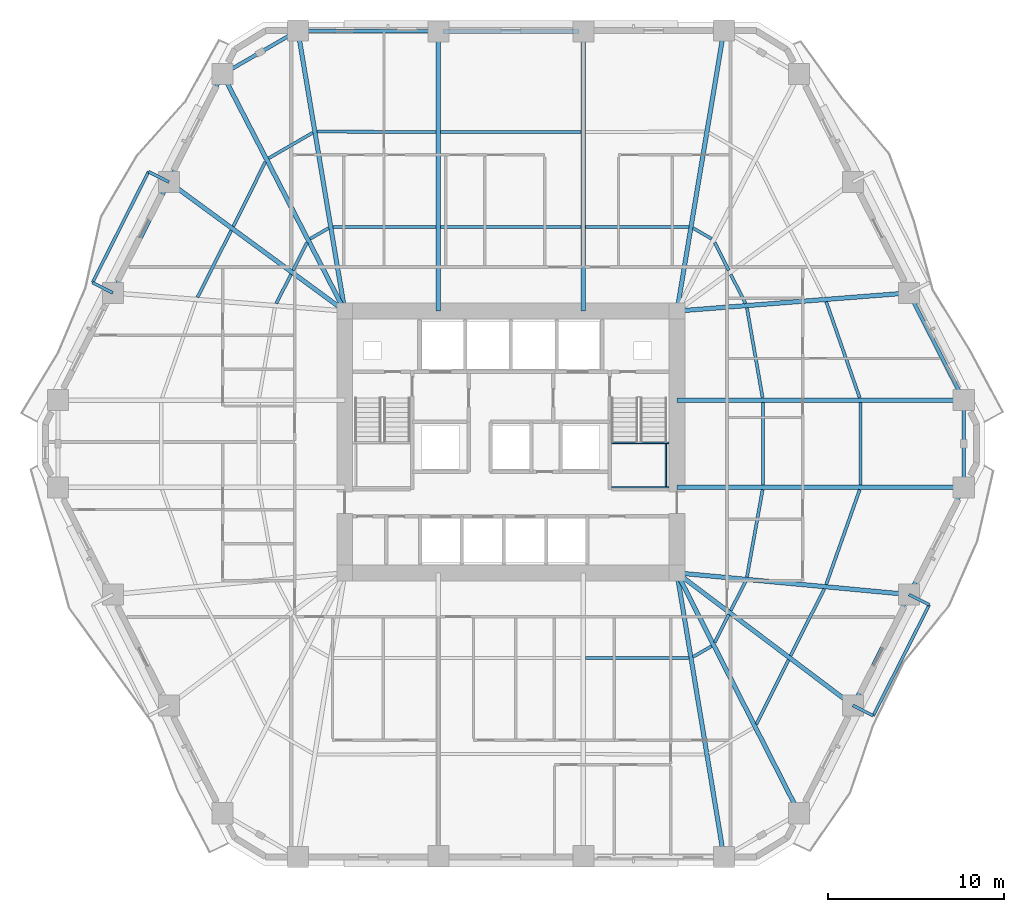
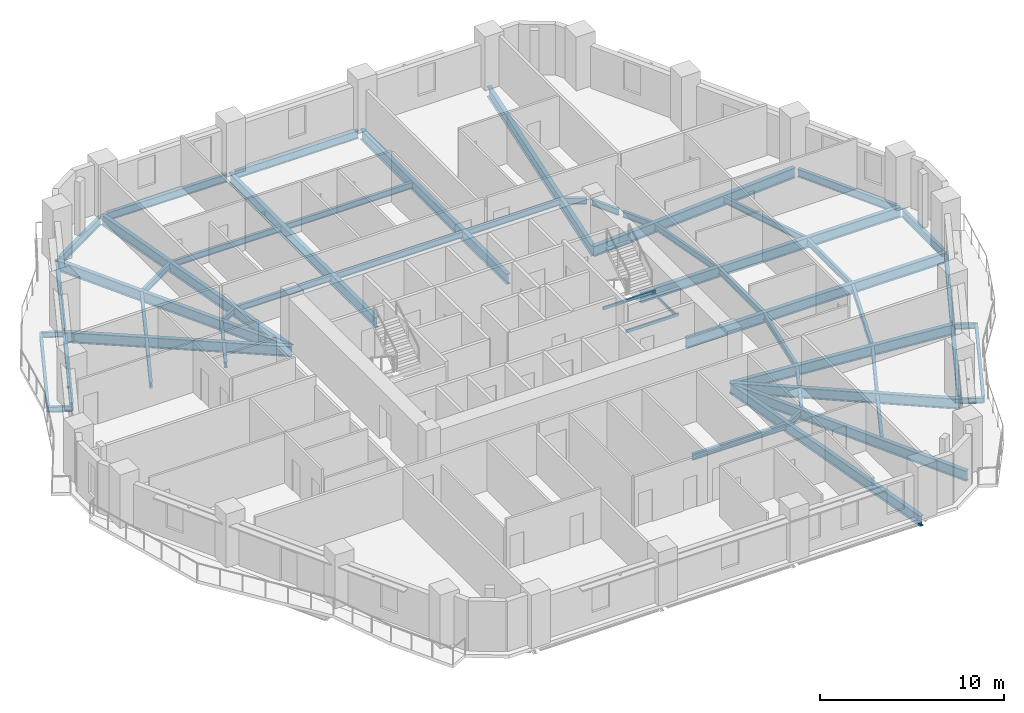
# One storey, part 2 of 14: 57 beams.
"""IFC4 building model written with IfcOpenShell, lengths in metres."""

import ifcopenshell
import ifcopenshell.guid

model = None  # the IFC model being written
_history = None  # IfcOwnerHistory: only IFC2X3 demands one
_inside = {}  # id of a spatial element -> (the spatial element, [elements in it])
_under = {}  # id of a project, library or spatial element -> (it, [spatial elements below it])
_declared = {}  # id of a project -> (the project, [libraries it declares])
_typed = {}  # id of a type object -> (the type object, [elements of that type])
_made_of = {}  # id of a material, layer set ... -> (it, [elements and type objects made of it])


def new_model(schema):
    """Start an empty IFC model of exactly this schema.

    Asked for "IFC4X3", IfcOpenShell would pick the latest addendum, in which some entities
    have other attributes; the version numbers below select the first issue.
    IFC2X3 requires an IfcOwnerHistory on every rooted entity: one is made here for all.
    """
    global model, _history
    if schema == "IFC4X3":
        model = ifcopenshell.file(schema_version=(4, 3, 0, 0))
    else:
        model = ifcopenshell.file(schema=schema)
    _inside.clear()
    _under.clear()
    _declared.clear()
    _typed.clear()
    _made_of.clear()
    _history = None
    if model.schema == "IFC2X3":
        org = make("IfcOrganization", Name="unknown")
        user = make(
            "IfcPersonAndOrganization",
            ThePerson=make("IfcPerson", FamilyName="unknown"),
            TheOrganization=org,
        )
        app = make(
            "IfcApplication",
            ApplicationDeveloper=org,
            Version="unknown",
            ApplicationFullName="unknown",
            ApplicationIdentifier="unknown",
        )
        _history = make(
            "IfcOwnerHistory",
            OwningUser=user,
            OwningApplication=app,
            ChangeAction="ADDED",
            CreationDate=0,
        )
    return model


def make(cls, **values):
    """One entity of the class cls with the attributes given. An attribute that is None is left unset."""
    return model.create_entity(
        cls, **{name: value for name, value in values.items() if value is not None}
    )


def rooted(cls, **values):
    """An entity with a GlobalId (a new one), such as an element, a storey or a relation."""
    return make(cls, GlobalId=ifcopenshell.guid.new(), OwnerHistory=_history, **values)


def si_unit(unit_type, name, prefix=None):
    """IfcSIUnit, for example si_unit("LENGTHUNIT", "METRE", prefix="MILLI")."""
    return make("IfcSIUnit", UnitType=unit_type, Prefix=prefix, Name=name)


def assignment(units):
    """IfcUnitAssignment: the units of a project."""
    return None if units is None else make("IfcUnitAssignment", Units=units)


def point(xyz):
    """IfcCartesianPoint."""
    return None if xyz is None else make("IfcCartesianPoint", Coordinates=xyz)


def direction(xyz):
    """IfcDirection."""
    return None if xyz is None else make("IfcDirection", DirectionRatios=xyz)


def frame(location, z_axis=None, x_axis=None):
    """IfcAxis2Placement3D, a coordinate frame: its origin and axes. An axis left out is left unset."""
    return make(
        "IfcAxis2Placement3D",
        Location=point(location),
        Axis=direction(z_axis),
        RefDirection=direction(x_axis),
    )


def frame_2d(location, x_axis=None):
    """IfcAxis2Placement2D, a coordinate frame in the plane: its origin and x axis."""
    return make(
        "IfcAxis2Placement2D", Location=point(location), RefDirection=direction(x_axis)
    )


def origin():
    """The frame at (0, 0, 0) with its axes left unset."""
    return frame((0.0, 0.0, 0.0))


def origin_2d():
    """The frame at (0, 0) in the plane with its x axis left unset."""
    return frame_2d((0.0, 0.0))


def place(relative_to, where):
    """IfcLocalPlacement: puts the frame where relative to a parent placement (None: the world)."""
    return make(
        "IfcLocalPlacement", PlacementRelTo=relative_to, RelativePlacement=where
    )


def context(
    kind, dimensions, precision=None, world=None, true_north=None, identifier=None
):
    """IfcGeometricRepresentationContext, for example the 3D "Model" context."""
    return make(
        "IfcGeometricRepresentationContext",
        ContextIdentifier=identifier,
        ContextType=kind,
        CoordinateSpaceDimension=dimensions,
        Precision=precision,
        WorldCoordinateSystem=world,
        TrueNorth=true_north,
    )


def subcontext(parent, identifier, kind, view, scale=None):
    """IfcGeometricRepresentationSubContext, for example "Body" below "Model"."""
    return make(
        "IfcGeometricRepresentationSubContext",
        ContextIdentifier=identifier,
        ContextType=kind,
        ParentContext=parent,
        TargetScale=scale,
        TargetView=view,
    )


def project(units=None, contexts=None):
    """IfcProject with its units and contexts."""
    return rooted(
        "IfcProject",
        Name="project",
        RepresentationContexts=contexts,
        UnitsInContext=assignment(units),
    )


def spatial(cls, under=None, at=None, **own):
    """A site, building, storey or space (cls), placed at a placement, below another one or the project."""
    s = rooted(cls, ObjectPlacement=at, **own)
    if under is not None:
        _under.setdefault(under.id(), (under, []))[1].append(s)
    return s


def profile(cls, at=None, kind="AREA", **sizes):
    """A parametric profile (cls). Its sizes go by their IFC names, for example OverallWidth=200.0."""
    return make(cls, ProfileType=kind, Position=at, **sizes)


def hollow_rectangle(**sizes):
    """IfcRectangleHollowProfileDef."""
    return profile("IfcRectangleHollowProfileDef", **sizes)


def i_section(**sizes):
    """IfcIShapeProfileDef."""
    return profile("IfcIShapeProfileDef", **sizes)


def extrude(swept, where, along, depth):
    """IfcExtrudedAreaSolid: the profile swept, set in the frame where, extruded along a direction by depth."""
    return make(
        "IfcExtrudedAreaSolid",
        SweptArea=swept,
        Position=where,
        ExtrudedDirection=direction(along),
        Depth=depth,
    )


def shape(context_of_items, identifier, shape_type, items):
    """IfcShapeRepresentation: the items that make up one representation, for example the "Body"."""
    return make(
        "IfcShapeRepresentation",
        ContextOfItems=context_of_items,
        RepresentationIdentifier=identifier,
        RepresentationType=shape_type,
        Items=items,
    )


def material(Name=None, Category=None):
    """IfcMaterial."""
    return make("IfcMaterial", Name=Name, Category=Category)


def material_profile(
    of_material, cross_section, Name=None, Category=None, Priority=None
):
    """IfcMaterialProfile: a cross section and its material."""
    return make(
        "IfcMaterialProfile",
        Name=Name,
        Material=of_material,
        Profile=cross_section,
        Priority=Priority,
        Category=Category,
    )


def profile_set(profiles, Name=None, composite=None):
    """IfcMaterialProfileSet."""
    return make(
        "IfcMaterialProfileSet",
        Name=Name,
        MaterialProfiles=profiles,
        CompositeProfile=composite,
    )


def made_of(thing, what):
    """Note that an element or type object is made of a material, layer set ...; save() writes the relation."""
    if what is not None:
        _made_of.setdefault(what.id(), (what, []))[1].append(thing)
    return thing


def type_object(cls, material=None, **own):
    """A type object (cls), such as IfcWallType, which elements share."""
    return made_of(rooted(cls, **own), material)


def element(
    cls,
    number,
    at=None,
    inside=None,
    cuts=None,
    type_object=None,
    material=None,
    context=None,
    identifier="Body",
    shape_type=None,
    held_by="IfcProductDefinitionShape",
    body=None,
    shapes=None,
    **own,
):
    """One element of the class cls, such as IfcWall. Its Tag is "e" and its number.

    at: its placement. inside: the storey or other place that contains it. cuts: it is an
    opening in that element (IfcRelVoidsElement). A single representation is given by context,
    identifier, shape_type and body (its items); several are given by shapes. held_by: the class
    of the entity that holds the representations. save() writes the other relations.
    """
    e = rooted(cls, Tag="e%d" % number, ObjectPlacement=at, **own)
    if body is not None:
        shapes = [shape(context, identifier, shape_type, body)]
    if shapes is not None:
        e.Representation = make(held_by, Representations=shapes)
    if inside is not None:
        _inside.setdefault(inside.id(), (inside, []))[1].append(e)
    if cuts is not None:
        rooted(
            "IfcRelVoidsElement", RelatingBuildingElement=cuts, RelatedOpeningElement=e
        )
    if type_object is not None:
        _typed.setdefault(type_object.id(), (type_object, []))[1].append(e)
    return made_of(e, material)


def aggregate(whole, parts):
    """IfcRelAggregates: a whole, such as a stair, and the parts it consists of."""
    return rooted("IfcRelAggregates", RelatingObject=whole, RelatedObjects=parts)


def save(model, path):
    """Write the relations noted so far, then the file.

    IfcRelAggregates (storeys below a building ...), IfcRelContainedInSpatialStructure (elements
    in a storey), IfcRelDefinesByType, IfcRelAssociatesMaterial and IfcRelDeclares: one each for
    every whole, place, type object, material and project.
    """
    for whole, parts in _under.values():
        aggregate(whole, parts)
    for where, things in _inside.values():
        rooted(
            "IfcRelContainedInSpatialStructure",
            RelatedElements=things,
            RelatingStructure=where,
        )
    for kind, things in _typed.values():
        rooted("IfcRelDefinesByType", RelatedObjects=things, RelatingType=kind)
    for what, things in _made_of.values():
        rooted("IfcRelAssociatesMaterial", RelatedObjects=things, RelatingMaterial=what)
    for by, libraries in _declared.values():
        rooted("IfcRelDeclares", RelatingContext=by, RelatedDefinitions=libraries)
    model.write(path)


model = new_model("IFC4")

# Units and contexts
model_context = context("Model", 3, precision=1e-05, world=origin(), true_north=direction((0.0, 1.0)))
body_context = subcontext(model_context, "Body", "Model", "MODEL_VIEW")
ifc_project = project(units=[si_unit("LENGTHUNIT", "METRE"), si_unit("AREAUNIT", "SQUARE_METRE"), si_unit("VOLUMEUNIT", "CUBIC_METRE"), si_unit("PLANEANGLEUNIT", "RADIAN"), si_unit("MASSUNIT", "GRAM", prefix="KILO")], contexts=[model_context])

# Site, building, storey
site_placement = place(None, origin())
site = spatial("IfcSite", under=ifc_project, at=site_placement, CompositionType="ELEMENT")
building_placement = place(site_placement, origin())
building = spatial("IfcBuilding", under=site, at=building_placement, Name="Cinnabar Lancet Tower", CompositionType="ELEMENT")
storey_placement = place(building_placement, frame((0.0, 0.0, 35.550048828125)))
storey = spatial("IfcBuildingStorey", under=building, at=storey_placement, Name="L08", CompositionType="ELEMENT", Elevation=35.550048828125)

# Beams
ifc_material_1 = material(Name="Structural steel S355", Category="steel")
ifc_material_profile_1 = material_profile(ifc_material_1, i_section(OverallWidth=0.177978515625, OverallDepth=0.406494140625, WebThickness=0.0078125, FlangeThickness=0.0126953125, FilletRadius=0.01025390625, at=origin_2d()), Name="UKB 406x178x60")
ifc_profile_set_1 = profile_set([ifc_material_profile_1], Name="Structural steel S355")
beam_type_1 = type_object("IfcBeamType", Name="STR-BM-JST-406", PredefinedType="JOIST", material=ifc_profile_set_1)
beam_1_placement = place(storey_placement, frame((36.64892578125, 13.616943359375, -0.423095703125), z_axis=(0.999996783932, -0.002536163472, 0.0), x_axis=(0.002536163472, 0.999996783932, 0.0)))
element("IfcBeam", 1, at=beam_1_placement, inside=storey, type_object=beam_type_1, Name="L08 Secondary Floor Joist 14", PredefinedType="JOIST", context=body_context, shape_type="SweptSolid", body=[
    extrude(i_section(OverallWidth=0.177978515625, OverallDepth=0.406494140625, WebThickness=0.0078125, FlangeThickness=0.0126953125, FilletRadius=0.01025390625, at=origin_2d()), origin(), (0.0, 0.0, 1.0), 5.8720703125),
])
beam_2_placement = place(storey_placement, frame((42.76708984375, 13.669921875, -0.423095703125), z_axis=(0.865417177575, 0.50105200205, 0.0), x_axis=(-0.50105200205, 0.865417177575, 0.0)))
element("IfcBeam", 2, at=beam_2_placement, inside=storey, type_object=beam_type_1, Name="L08 Secondary Floor Joist 16", PredefinedType="JOIST", context=body_context, shape_type="SweptSolid", body=[
    extrude(i_section(OverallWidth=0.177978515625, OverallDepth=0.406494140625, WebThickness=0.0078125, FlangeThickness=0.0126953125, FilletRadius=0.01025390625, at=origin_2d()), origin(), (0.0, 0.0, 1.0), 1.223388671875),
])
beam_3_placement = place(storey_placement, frame((46.3701171875, 9.837890625, -0.423095703125), z_axis=(0.445807799253, 0.895128709251, 0.0), x_axis=(-0.895128709251, 0.445807799253, 0.0)))
element("IfcBeam", 3, at=beam_3_placement, inside=storey, type_object=beam_type_1, Name="L08 Secondary Floor Joist 17", PredefinedType="JOIST", context=body_context, shape_type="SweptSolid", body=[
    extrude(i_section(OverallWidth=0.177978515625, OverallDepth=0.406494140625, WebThickness=0.0078125, FlangeThickness=0.0126953125, FilletRadius=0.01025390625, at=origin_2d()), origin(), (0.0, 0.0, 1.0), 4.10009765625),
])
beam_4_placement = place(storey_placement, frame((44.006103515625, 14.488037109375, -0.423095703125), z_axis=(0.445778141453, 0.895143479339, 0.0), x_axis=(-0.895143479339, 0.445778141453, 0.0)))
element("IfcBeam", 4, at=beam_4_placement, inside=storey, type_object=beam_type_1, Name="L08 Secondary Floor Joist 18", PredefinedType="JOIST", context=body_context, shape_type="SweptSolid", body=[
    extrude(i_section(OverallWidth=0.177978515625, OverallDepth=0.406494140625, WebThickness=0.0078125, FlangeThickness=0.0126953125, FilletRadius=0.01025390625, at=origin_2d()), origin(), (0.0, 0.0, 1.0), 1.76953125),
])
beam_5_placement = place(storey_placement, frame((48.31396484375, 13.739013671875, -0.423095703125), z_axis=(0.450763900798, 0.892643213012, 0.0), x_axis=(-0.892643213012, 0.450763900798, 0.0)))
element("IfcBeam", 5, at=beam_5_placement, inside=storey, type_object=beam_type_1, Name="L08 Secondary Floor Joist 19", PredefinedType="JOIST", context=body_context, shape_type="SweptSolid", body=[
    extrude(i_section(OverallWidth=0.177978515625, OverallDepth=0.406494140625, WebThickness=0.0078125, FlangeThickness=0.0126953125, FilletRadius=0.01025390625, at=origin_2d()), origin(), (0.0, 0.0, 1.0), 4.25927734375),
])
beam_6_placement = place(storey_placement, frame((44.910888671875, 16.302978515625, -0.423095703125), z_axis=(0.450737053799, 0.892656769611, 0.0), x_axis=(-0.892656769611, 0.450737053799, 0.0)))
element("IfcBeam", 6, at=beam_6_placement, inside=storey, type_object=beam_type_1, Name="L08 Secondary Floor Joist 20", PredefinedType="JOIST", context=body_context, shape_type="SweptSolid", body=[
    extrude(i_section(OverallWidth=0.177978515625, OverallDepth=0.406494140625, WebThickness=0.0078125, FlangeThickness=0.0126953125, FilletRadius=0.01025390625, at=origin_2d()), origin(), (0.0, 0.0, 1.0), 1.855224609375),
])
beam_7_placement = place(storey_placement, frame((50.339111328125, 17.785888671875, -0.423095703125), z_axis=(0.333384030214, 0.942791115995, 0.0), x_axis=(-0.942791115995, 0.333384030214, 0.0)))
element("IfcBeam", 7, at=beam_7_placement, inside=storey, type_object=beam_type_1, Name="L08 Secondary Floor Joist 21", PredefinedType="JOIST", context=body_context, shape_type="SweptSolid", body=[
    extrude(i_section(OverallWidth=0.177978515625, OverallDepth=0.406494140625, WebThickness=0.0078125, FlangeThickness=0.0126953125, FilletRadius=0.01025390625, at=origin_2d()), origin(), (0.0, 0.0, 1.0), 5.728759765625),
])
beam_8_placement = place(storey_placement, frame((45.8310546875, 18.2060546875, -0.423095703125), z_axis=(0.176248165752, 0.98434576449, 0.0), x_axis=(-0.98434576449, 0.176248165752, 0.0)))
element("IfcBeam", 8, at=beam_8_placement, inside=storey, type_object=beam_type_1, Name="L08 Secondary Floor Joist 22", PredefinedType="JOIST", context=body_context, shape_type="SweptSolid", body=[
    extrude(i_section(OverallWidth=0.177978515625, OverallDepth=0.406494140625, WebThickness=0.0078125, FlangeThickness=0.0126953125, FilletRadius=0.01025390625, at=origin_2d()), origin(), (0.0, 0.0, 1.0), 5.06005859375),
])
for number, where, z_axis, x_axis, name in (
    (9, (52.2939453125, 23.44091796875, -0.423095703125), (0.0, 1.0, 0.0), (-1.0, 0.0, 0.0), "L08 Secondary Floor Joist 23"),
    (10, (46.7451171875, 23.44091796875, -0.423095703125), (0.0, 1.0, 0.0), (-1.0, 0.0, 0.0), "L08 Secondary Floor Joist 24"),
):
    element("IfcBeam", number, at=place(storey_placement, frame(where, z_axis=z_axis, x_axis=x_axis)), inside=storey, type_object=beam_type_1, Name=name, PredefinedType="JOIST", context=body_context, shape_type="SweptSolid", body=[
        extrude(i_section(OverallWidth=0.177978515625, OverallDepth=0.406494140625, WebThickness=0.0078125, FlangeThickness=0.0126953125, FilletRadius=0.01025390625, at=origin_2d()), origin(), (0.0, 0.0, 1.0), 4.718017578125),
    ])
beam_9_placement = place(storey_placement, frame((52.2490234375, 28.4130859375, -0.423095703125), z_axis=(-0.329541584143, 0.944141061664, 0.0), x_axis=(-0.944141061664, -0.329541584143, 0.0)))
element("IfcBeam", 11, at=beam_9_placement, inside=storey, type_object=beam_type_1, Name="L08 Secondary Floor Joist 25", PredefinedType="JOIST", context=body_context, shape_type="SweptSolid", body=[
    extrude(i_section(OverallWidth=0.177978515625, OverallDepth=0.406494140625, WebThickness=0.0078125, FlangeThickness=0.0126953125, FilletRadius=0.01025390625, at=origin_2d()), origin(), (0.0, 0.0, 1.0), 5.795654296875),
])
beam_10_placement = place(storey_placement, frame((46.722900390625, 28.4130859375, -0.423095703125), z_axis=(-0.171608810888, 0.985165171951, 0.0), x_axis=(-0.985165171951, -0.171608810888, 0.0)))
element("IfcBeam", 12, at=beam_10_placement, inside=storey, type_object=beam_type_1, Name="L08 Secondary Floor Joist 26", PredefinedType="JOIST", context=body_context, shape_type="SweptSolid", body=[
    extrude(i_section(OverallWidth=0.177978515625, OverallDepth=0.406494140625, WebThickness=0.0078125, FlangeThickness=0.0126953125, FilletRadius=0.01025390625, at=origin_2d()), origin(), (0.0, 0.0, 1.0), 5.197021484375),
])
beam_11_placement = place(storey_placement, frame((45.7470703125, 33.781005859375, -0.423095703125), z_axis=(-0.450525338421, 0.89276364142, 0.0), x_axis=(-0.89276364142, -0.450525338421, 0.0)))
element("IfcBeam", 13, at=beam_11_placement, inside=storey, type_object=beam_type_1, Name="L08 Secondary Floor Joist 28", PredefinedType="JOIST", context=body_context, shape_type="SweptSolid", body=[
    extrude(i_section(OverallWidth=0.177978515625, OverallDepth=0.406494140625, WebThickness=0.0078125, FlangeThickness=0.0126953125, FilletRadius=0.01025390625, at=origin_2d()), origin(), (0.0, 0.0, 1.0), 1.85595703125),
])
beam_12_placement = place(storey_placement, frame((44.794921875, 35.66796875, -0.423095703125), z_axis=(-0.445778141453, 0.895143479339, 0.0), x_axis=(-0.895143479339, -0.445778141453, 0.0)))
element("IfcBeam", 14, at=beam_12_placement, inside=storey, type_object=beam_type_1, Name="L08 Secondary Floor Joist 30", PredefinedType="JOIST", context=body_context, shape_type="SweptSolid", body=[
    extrude(i_section(OverallWidth=0.177978515625, OverallDepth=0.406494140625, WebThickness=0.0078125, FlangeThickness=0.0126953125, FilletRadius=0.01025390625, at=origin_2d()), origin(), (0.0, 0.0, 1.0), 1.76953125),
])
beam_13_placement = place(storey_placement, frame((43.825927734375, 37.45703125, -0.423095703125), z_axis=(-0.865417177575, 0.50105200205, 0.0), x_axis=(-0.50105200205, -0.865417177575, 0.0)))
element("IfcBeam", 15, at=beam_13_placement, inside=storey, type_object=beam_type_1, Name="L08 Secondary Floor Joist 32", PredefinedType="JOIST", context=body_context, shape_type="SweptSolid", body=[
    extrude(i_section(OverallWidth=0.177978515625, OverallDepth=0.406494140625, WebThickness=0.0078125, FlangeThickness=0.0126953125, FilletRadius=0.01025390625, at=origin_2d()), origin(), (0.0, 0.0, 1.0), 1.223388671875),
])
beam_14_placement = place(storey_placement, frame((42.52099609375, 38.137939453125, -0.423095703125), z_axis=(-0.999996783932, -0.002536163472, 0.0), x_axis=(0.002536163472, -0.999996783932, 0.0)))
element("IfcBeam", 16, at=beam_14_placement, inside=storey, type_object=beam_type_1, Name="L08 Secondary Floor Joist 34", PredefinedType="JOIST", context=body_context, shape_type="SweptSolid", body=[
    extrude(i_section(OverallWidth=0.177978515625, OverallDepth=0.406494140625, WebThickness=0.0078125, FlangeThickness=0.0126953125, FilletRadius=0.01025390625, at=origin_2d()), origin(), (0.0, 0.0, 1.0), 5.8720703125),
])
for number, where, z_axis, x_axis, name in (
    (17, (36.39501953125, 43.531005859375, -0.423095703125), (-1.0, 0.0, 0.0), (0.0, -1.0, 0.0), "L08 Secondary Floor Joist 35"),
    (18, (36.39501953125, 38.1220703125, -0.423095703125), (-1.0, 0.0, 0.0), (0.0, -1.0, 0.0), "L08 Secondary Floor Joist 36"),
):
    element("IfcBeam", number, at=place(storey_placement, frame(where, z_axis=z_axis, x_axis=x_axis)), inside=storey, type_object=beam_type_1, Name=name, PredefinedType="JOIST", context=body_context, shape_type="SweptSolid", body=[
        extrude(i_section(OverallWidth=0.177978515625, OverallDepth=0.406494140625, WebThickness=0.0078125, FlangeThickness=0.0126953125, FilletRadius=0.01025390625, at=origin_2d()), origin(), (0.0, 0.0, 1.0), 7.989990234375),
    ])
beam_15_placement = place(storey_placement, frame((28.15087890625, 43.531982421875, -0.423095703125), z_axis=(-0.999988870422, 0.004717947923, 0.0), x_axis=(-0.004717947923, -0.999988870422, 0.0)))
element("IfcBeam", 19, at=beam_15_placement, inside=storey, type_object=beam_type_1, Name="L08 Secondary Floor Joist 37", PredefinedType="JOIST", context=body_context, shape_type="SweptSolid", body=[
    extrude(i_section(OverallWidth=0.177978515625, OverallDepth=0.406494140625, WebThickness=0.0078125, FlangeThickness=0.0126953125, FilletRadius=0.01025390625, at=origin_2d()), origin(), (0.0, 0.0, 1.0), 6.77880859375),
])
beam_16_placement = place(storey_placement, frame((28.15087890625, 38.123046875, -0.423095703125), z_axis=(-0.999996783665, 0.00253626892, 0.0), x_axis=(-0.00253626892, -0.999996783665, 0.0)))
element("IfcBeam", 20, at=beam_16_placement, inside=storey, type_object=beam_type_1, Name="L08 Secondary Floor Joist 38", PredefinedType="JOIST", context=body_context, shape_type="SweptSolid", body=[
    extrude(i_section(OverallWidth=0.177978515625, OverallDepth=0.406494140625, WebThickness=0.0078125, FlangeThickness=0.0126953125, FilletRadius=0.01025390625, at=origin_2d()), origin(), (0.0, 0.0, 1.0), 5.871826171875),
])
beam_17_placement = place(storey_placement, frame((21.1259765625, 43.4970703125, -0.423095703125), z_axis=(-0.865209684948, -0.501410212373, 0.0), x_axis=(0.501410212373, -0.865209684948, 0.0)))
element("IfcBeam", 21, at=beam_17_placement, inside=storey, type_object=beam_type_1, Name="L08 Secondary Floor Joist 39", PredefinedType="JOIST", context=body_context, shape_type="SweptSolid", body=[
    extrude(i_section(OverallWidth=0.177978515625, OverallDepth=0.406494140625, WebThickness=0.0078125, FlangeThickness=0.0126953125, FilletRadius=0.01025390625, at=origin_2d()), origin(), (0.0, 0.0, 1.0), 2.90771484375),
])
beam_18_placement = place(storey_placement, frame((22.032958984375, 38.070068359375, -0.423095703125), z_axis=(-0.865417177575, -0.50105200205, 0.0), x_axis=(0.50105200205, -0.865417177575, 0.0)))
element("IfcBeam", 22, at=beam_18_placement, inside=storey, type_object=beam_type_1, Name="L08 Secondary Floor Joist 40", PredefinedType="JOIST", context=body_context, shape_type="SweptSolid", body=[
    extrude(i_section(OverallWidth=0.177978515625, OverallDepth=0.406494140625, WebThickness=0.0078125, FlangeThickness=0.0126953125, FilletRadius=0.01025390625, at=origin_2d()), origin(), (0.0, 0.0, 1.0), 1.223388671875),
])
beam_19_placement = place(storey_placement, frame((18.429931640625, 41.8349609375, -0.423095703125), z_axis=(-0.445641523434, -0.895211501597, 0.0), x_axis=(0.895211501597, -0.445641523434, 0.0)))
element("IfcBeam", 23, at=beam_19_placement, inside=storey, type_object=beam_type_1, Name="L08 Secondary Floor Joist 41", PredefinedType="JOIST", context=body_context, shape_type="SweptSolid", body=[
    extrude(i_section(OverallWidth=0.177978515625, OverallDepth=0.406494140625, WebThickness=0.0078125, FlangeThickness=0.0126953125, FilletRadius=0.01025390625, at=origin_2d()), origin(), (0.0, 0.0, 1.0), 4.1015625),
])
beam_20_placement = place(storey_placement, frame((20.7939453125, 37.251953125, -0.423095703125), z_axis=(-0.445888683384, -0.895088421347, 0.0), x_axis=(0.895088421347, -0.445888683384, 0.0)))
element("IfcBeam", 24, at=beam_20_placement, inside=storey, type_object=beam_type_1, Name="L08 Secondary Floor Joist 42", PredefinedType="JOIST", context=body_context, shape_type="SweptSolid", body=[
    extrude(i_section(OverallWidth=0.177978515625, OverallDepth=0.406494140625, WebThickness=0.0078125, FlangeThickness=0.0126953125, FilletRadius=0.01025390625, at=origin_2d()), origin(), (0.0, 0.0, 1.0), 1.76953125),
])
beam_21_placement = place(storey_placement, frame((16.486083984375, 37.93310546875, -0.423095703125), z_axis=(-0.450901848865, -0.892573539094, 0.0), x_axis=(0.892573539094, -0.450901848865, 0.0)))
element("IfcBeam", 25, at=beam_21_placement, inside=storey, type_object=beam_type_1, Name="L08 Secondary Floor Joist 43", PredefinedType="JOIST", context=body_context, shape_type="SweptSolid", body=[
    extrude(i_section(OverallWidth=0.177978515625, OverallDepth=0.406494140625, WebThickness=0.0078125, FlangeThickness=0.0126953125, FilletRadius=0.01025390625, at=origin_2d()), origin(), (0.0, 0.0, 1.0), 4.258544921875),
])
beam_22_placement = place(storey_placement, frame((19.888916015625, 35.43798828125, -0.423095703125), z_axis=(-0.450420487985, -0.892816545547, 0.0), x_axis=(0.892816545547, -0.450420487985, 0.0)))
element("IfcBeam", 26, at=beam_22_placement, inside=storey, type_object=beam_type_1, Name="L08 Secondary Floor Joist 44", PredefinedType="JOIST", context=body_context, shape_type="SweptSolid", body=[
    extrude(i_section(OverallWidth=0.177978515625, OverallDepth=0.406494140625, WebThickness=0.0078125, FlangeThickness=0.0126953125, FilletRadius=0.01025390625, at=origin_2d()), origin(), (0.0, 0.0, 1.0), 1.85595703125),
])
ifc_material_2 = material(Name="Structural steel S355", Category="steel")
ifc_material_profile_2 = material_profile(ifc_material_2, hollow_rectangle(XDim=0.10009765625, YDim=0.199951171875, WallThickness=0.008056640625, InnerFilletRadius=0.00390625, OuterFilletRadius=0.011962890625, at=origin_2d()), Name="RHS 200x100x8")
ifc_profile_set_2 = profile_set([ifc_material_profile_2], Name="Structural steel S355")
beam_type_2 = type_object("IfcBeamType", Name="STR-BM-LND-203", PredefinedType="BEAM", material=ifc_profile_set_2)
for number, where, z_axis, x_axis, name in (
    (27, (38.1201171875, 23.330078125, 1.474853515625), (1.0, 0.0, 0.0), (0.0, 1.0, 0.0), "L08 ST-2-L08 Landing Support Beam S"),
    (28, (38.1201171875, 25.844970703125, 1.474853515625), (1.0, 0.0, 0.0), (0.0, 1.0, 0.0), "L08 ST-2-L08 Landing Support Beam N"),
):
    element("IfcBeam", number, at=place(storey_placement, frame(where, z_axis=z_axis, x_axis=x_axis)), inside=storey, type_object=beam_type_2, Name=name, PredefinedType="BEAM", context=body_context, shape_type="SweptSolid", body=[
        extrude(hollow_rectangle(XDim=0.10009765625, YDim=0.199951171875, WallThickness=0.008056640625, InnerFilletRadius=0.00390625, OuterFilletRadius=0.011962890625, at=origin_2d()), origin(), (0.0, 0.0, 1.0), 3.27978515625),
    ])
beam_23_placement = place(storey_placement, frame((41.219970703125, 23.3798828125, 1.474853515625), z_axis=(0.0, 1.0, 0.0), x_axis=(-1.0, 0.0, 0.0)))
element("IfcBeam", 29, at=beam_23_placement, inside=storey, type_object=beam_type_2, Name="L08 ST-2-L08 Landing Side Trimmer Beam", PredefinedType="BEAM", context=body_context, shape_type="SweptSolid", body=[
    extrude(hollow_rectangle(XDim=0.10009765625, YDim=0.199951171875, WallThickness=0.008056640625, InnerFilletRadius=0.00390625, OuterFilletRadius=0.011962890625, at=origin_2d()), origin(), (0.0, 0.0, 1.0), 2.4150390625),
])
ifc_material_3 = material(Name="Structural steel S355", Category="steel")
ifc_material_profile_3 = material_profile(ifc_material_3, i_section(OverallWidth=0.209228515625, OverallDepth=0.533203125, WebThickness=0.010009765625, FlangeThickness=0.015625, FilletRadius=0.0126953125, at=origin_2d()), Name="UKB 533x210x92")
ifc_profile_set_3 = profile_set([ifc_material_profile_3], Name="Structural steel S355")
beam_type_3 = type_object("IfcBeamType", Name="STR-BM-SPN-533", PredefinedType="SPANDREL", material=ifc_profile_set_3)
beam_24_placement = place(storey_placement, frame((51.971923828125, 11.132080078125, -0.487060546875), z_axis=(0.450703143926, 0.892673891214, 0.0), x_axis=(-0.892673891214, 0.450703143926, 0.0)))
element("IfcBeam", 30, at=beam_24_placement, inside=storey, type_object=beam_type_3, Name="L08 Perimeter Spandrel 6", PredefinedType="SPANDREL", context=body_context, shape_type="SweptSolid", body=[
    extrude(i_section(OverallWidth=0.209228515625, OverallDepth=0.533203125, WebThickness=0.010009765625, FlangeThickness=0.015625, FilletRadius=0.0126953125, at=origin_2d()), origin(), (0.0, 0.0, 1.0), 6.570068359375),
])
beam_25_placement = place(storey_placement, frame((55.159912109375, 17.443115234375, -0.487060546875), z_axis=(0.456024522632, 0.889967209934, 0.0), x_axis=(-0.889967209934, 0.456024522632, 0.0)))
element("IfcBeam", 31, at=beam_25_placement, inside=storey, type_object=beam_type_3, Name="L08 Perimeter Spandrel 7", PredefinedType="SPANDREL", context=body_context, shape_type="SweptSolid", body=[
    extrude(i_section(OverallWidth=0.209228515625, OverallDepth=0.533203125, WebThickness=0.010009765625, FlangeThickness=0.015625, FilletRadius=0.0126953125, at=origin_2d()), origin(), (0.0, 0.0, 1.0), 6.34619140625),
])
beam_26_placement = place(storey_placement, frame((58.16796875, 23.56396484375, -0.487060546875), z_axis=(0.0, 1.0, 0.0), x_axis=(-1.0, 0.0, 0.0)))
element("IfcBeam", 32, at=beam_26_placement, inside=storey, type_object=beam_type_3, Name="L08 Perimeter Spandrel 8", PredefinedType="SPANDREL", context=body_context, shape_type="SweptSolid", body=[
    extrude(i_section(OverallWidth=0.209228515625, OverallDepth=0.533203125, WebThickness=0.010009765625, FlangeThickness=0.015625, FilletRadius=0.0126953125, at=origin_2d()), origin(), (0.0, 0.0, 1.0), 4.471923828125),
])
beam_27_placement = place(storey_placement, frame((58.053955078125, 28.509033203125, -0.487060546875), z_axis=(-0.456024522632, 0.889967209934, 0.0), x_axis=(-0.889967209934, -0.456024522632, 0.0)))
element("IfcBeam", 33, at=beam_27_placement, inside=storey, type_object=beam_type_3, Name="L08 Perimeter Spandrel 9", PredefinedType="SPANDREL", context=body_context, shape_type="SweptSolid", body=[
    extrude(i_section(OverallWidth=0.209228515625, OverallDepth=0.533203125, WebThickness=0.010009765625, FlangeThickness=0.015625, FilletRadius=0.0126953125, at=origin_2d()), origin(), (0.0, 0.0, 1.0), 6.34619140625),
])
beam_28_placement = place(storey_placement, frame((36.27197265625, 49.258056640625, -0.487060546875), z_axis=(-1.0, 0.0, 0.0), x_axis=(0.0, -1.0, 0.0)))
element("IfcBeam", 34, at=beam_28_placement, inside=storey, type_object=beam_type_3, Name="L08 Perimeter Spandrel 14", PredefinedType="SPANDREL", context=body_context, shape_type="SweptSolid", body=[
    extrude(i_section(OverallWidth=0.209228515625, OverallDepth=0.533203125, WebThickness=0.010009765625, FlangeThickness=0.015625, FilletRadius=0.0126953125, at=origin_2d()), origin(), (0.0, 0.0, 1.0), 7.743896484375),
])
beam_29_placement = place(storey_placement, frame((28.028076171875, 49.260009765625, -0.487060546875), z_axis=(-0.99997856757, 0.006547090947, 0.0), x_axis=(-0.006547090947, -0.99997856757, 0.0)))
element("IfcBeam", 35, at=beam_29_placement, inside=storey, type_object=beam_type_3, Name="L08 Perimeter Spandrel 15", PredefinedType="SPANDREL", context=body_context, shape_type="SweptSolid", body=[
    extrude(i_section(OverallWidth=0.209228515625, OverallDepth=0.533203125, WebThickness=0.010009765625, FlangeThickness=0.015625, FilletRadius=0.0126953125, at=origin_2d()), origin(), (0.0, 0.0, 1.0), 7.495361328125),
])
beam_30_placement = place(storey_placement, frame((20.06689453125, 49.18603515625, -0.487060546875), z_axis=(-0.865147238596, -0.501517951374, 0.0), x_axis=(0.501517951374, -0.865147238596, 0.0)))
element("IfcBeam", 36, at=beam_30_placement, inside=storey, type_object=beam_type_3, Name="L08 Perimeter Spandrel 16", PredefinedType="SPANDREL", context=body_context, shape_type="SweptSolid", body=[
    extrude(i_section(OverallWidth=0.209228515625, OverallDepth=0.533203125, WebThickness=0.010009765625, FlangeThickness=0.015625, FilletRadius=0.0126953125, at=origin_2d()), origin(), (0.0, 0.0, 1.0), 4.454833984375),
])
beam_31_placement = place(storey_placement, frame((15.885986328125, 46.60302734375, -0.487060546875), z_axis=(-0.445953050023, -0.89505635419, 0.0), x_axis=(0.89505635419, -0.445953050023, 0.0)))
element("IfcBeam", 37, at=beam_31_placement, inside=storey, type_object=beam_type_3, Name="L08 Perimeter Spandrel 17", PredefinedType="SPANDREL", context=body_context, shape_type="SweptSolid", body=[
    extrude(i_section(OverallWidth=0.209228515625, OverallDepth=0.533203125, WebThickness=0.010009765625, FlangeThickness=0.015625, FilletRadius=0.0126953125, at=origin_2d()), origin(), (0.0, 0.0, 1.0), 6.35498046875),
])
beam_32_placement = place(storey_placement, frame((12.827880859375, 40.468017578125, -0.487060546875), z_axis=(-0.450673532306, -0.892688841242, 0.0), x_axis=(0.892688841242, -0.450673532306, 0.0)))
element("IfcBeam", 38, at=beam_32_placement, inside=storey, type_object=beam_type_3, Name="L08 Perimeter Spandrel 18", PredefinedType="SPANDREL", context=body_context, shape_type="SweptSolid", body=[
    extrude(i_section(OverallWidth=0.209228515625, OverallDepth=0.533203125, WebThickness=0.010009765625, FlangeThickness=0.015625, FilletRadius=0.0126953125, at=origin_2d()), origin(), (0.0, 0.0, 1.0), 6.570068359375),
])
ifc_material_4 = material(Name="Structural steel S355", Category="steel")
ifc_material_profile_4 = material_profile(ifc_material_4, i_section(OverallWidth=0.253662109375, OverallDepth=0.68359375, WebThickness=0.012451171875, FlangeThickness=0.01904296875, FilletRadius=0.01513671875, at=origin_2d()), Name="UKB 686x254x140")
ifc_profile_set_4 = profile_set([ifc_material_profile_4], Name="Structural steel S355")
beam_type_4 = type_object("IfcBeamType", Name="STR-BM-UKB686-140", PredefinedType="BEAM", material=ifc_profile_set_4)
beam_33_placement = place(storey_placement, frame((51.85888671875, 10.908935546875, -0.56201171875), z_axis=(-0.798679534026, 0.601756596912, 0.0), x_axis=(-0.601756596912, -0.798679534026, 0.0)))
element("IfcBeam", 39, at=beam_33_placement, inside=storey, type_object=beam_type_4, Name="L08 Corner Collector Girder 2", PredefinedType="BEAM", context=body_context, shape_type="SweptSolid", body=[
    extrude(i_section(OverallWidth=0.253662109375, OverallDepth=0.68359375, WebThickness=0.012451171875, FlangeThickness=0.01904296875, FilletRadius=0.01513671875, at=origin_2d()), origin(), (0.0, 0.0, 1.0), 12.53173828125),
])
beam_34_placement = place(storey_placement, frame((12.94091796875, 40.69091796875, -0.56201171875), z_axis=(0.806371852816, -0.591408856026, 0.0), x_axis=(0.591408856026, 0.806371852816, 0.0)))
element("IfcBeam", 40, at=beam_34_placement, inside=storey, type_object=beam_type_4, Name="L08 Corner Collector Girder 4", PredefinedType="BEAM", context=body_context, shape_type="SweptSolid", body=[
    extrude(i_section(OverallWidth=0.253662109375, OverallDepth=0.68359375, WebThickness=0.012451171875, FlangeThickness=0.01904296875, FilletRadius=0.01513671875, at=origin_2d()), origin(), (0.0, 0.0, 1.0), 12.412353515625),
])
beam_35_placement = place(storey_placement, frame((44.51708984375, 2.2890625, -0.56201171875), z_axis=(-0.162825264118, 0.986654921117, 0.0), x_axis=(-0.986654921117, -0.162825264118, 0.0)))
element("IfcBeam", 41, at=beam_35_placement, inside=storey, type_object=beam_type_4, Name="L08 Primary Floor Girder 4", PredefinedType="BEAM", context=body_context, shape_type="SweptSolid", body=[
    extrude(i_section(OverallWidth=0.253662109375, OverallDepth=0.68359375, WebThickness=0.012451171875, FlangeThickness=0.01904296875, FilletRadius=0.01513671875, at=origin_2d()), origin(), (0.0, 0.0, 1.0), 16.37939453125),
])
beam_36_placement = place(storey_placement, frame((48.802978515625, 4.77294921875, -0.56201171875), z_axis=(-0.453167599586, 0.89142533433, 0.0), x_axis=(-0.89142533433, -0.453167599586, 0.0)))
element("IfcBeam", 42, at=beam_36_placement, inside=storey, type_object=beam_type_4, Name="L08 Primary Floor Girder 5", PredefinedType="BEAM", context=body_context, shape_type="SweptSolid", body=[
    extrude(i_section(OverallWidth=0.253662109375, OverallDepth=0.68359375, WebThickness=0.012451171875, FlangeThickness=0.01904296875, FilletRadius=0.01513671875, at=origin_2d()), origin(), (0.0, 0.0, 1.0), 15.3427734375),
])
beam_37_placement = place(storey_placement, frame((55.0458984375, 17.219970703125, -0.56201171875), z_axis=(-0.99568405159, 0.092807701238, 0.0), x_axis=(-0.092807701238, -0.99568405159, 0.0)))
element("IfcBeam", 43, at=beam_37_placement, inside=storey, type_object=beam_type_4, Name="L08 Primary Floor Girder 7", PredefinedType="BEAM", context=body_context, shape_type="SweptSolid", body=[
    extrude(i_section(OverallWidth=0.253662109375, OverallDepth=0.68359375, WebThickness=0.012451171875, FlangeThickness=0.01904296875, FilletRadius=0.01513671875, at=origin_2d()), origin(), (0.0, 0.0, 1.0), 13.2529296875),
])
for number, where, z_axis, x_axis, name in (
    (44, (58.16796875, 23.31396484375, -0.56201171875), (-1.0, 0.0, 0.0), (0.0, -1.0, 0.0), "L08 Primary Floor Girder 8"),
    (45, (58.16796875, 28.285888671875, -0.56201171875), (-1.0, 0.0, 0.0), (0.0, -1.0, 0.0), "L08 Primary Floor Girder 9"),
):
    element("IfcBeam", number, at=place(storey_placement, frame(where, z_axis=z_axis, x_axis=x_axis)), inside=storey, type_object=beam_type_4, Name=name, PredefinedType="BEAM", context=body_context, shape_type="SweptSolid", body=[
        extrude(i_section(OverallWidth=0.253662109375, OverallDepth=0.68359375, WebThickness=0.012451171875, FlangeThickness=0.01904296875, FilletRadius=0.01513671875, at=origin_2d()), origin(), (0.0, 0.0, 1.0), 16.31787109375),
    ])
beam_38_placement = place(storey_placement, frame((55.0458984375, 34.3798828125, -0.56201171875), z_axis=(-0.99696880683, -0.077802302076, 0.0), x_axis=(0.077802302076, -0.99696880683, 0.0)))
element("IfcBeam", 46, at=beam_38_placement, inside=storey, type_object=beam_type_4, Name="L08 Primary Floor Girder 10", PredefinedType="BEAM", context=body_context, shape_type="SweptSolid", body=[
    extrude(i_section(OverallWidth=0.253662109375, OverallDepth=0.68359375, WebThickness=0.012451171875, FlangeThickness=0.01904296875, FilletRadius=0.01513671875, at=origin_2d()), origin(), (0.0, 0.0, 1.0), 13.23583984375),
])
beam_39_placement = place(storey_placement, frame((44.51708984375, 49.31103515625, -0.56201171875), z_axis=(-0.164809990854, -0.986325335229, 0.0), x_axis=(0.986325335229, -0.164809990854, 0.0)))
element("IfcBeam", 47, at=beam_39_placement, inside=storey, type_object=beam_type_4, Name="L08 Primary Floor Girder 13", PredefinedType="BEAM", context=body_context, shape_type="SweptSolid", body=[
    extrude(i_section(OverallWidth=0.253662109375, OverallDepth=0.68359375, WebThickness=0.012451171875, FlangeThickness=0.01904296875, FilletRadius=0.01513671875, at=origin_2d()), origin(), (0.0, 0.0, 1.0), 16.18212890625),
])
for number, where, z_axis, x_axis, name in (
    (48, (36.52197265625, 49.258056640625, -0.56201171875), (0.0, -1.0, 0.0), (1.0, 0.0, 0.0), "L08 Primary Floor Girder 14"),
    (49, (28.278076171875, 49.258056640625, -0.56201171875), (0.0, -1.0, 0.0), (1.0, 0.0, 0.0), "L08 Primary Floor Girder 15"),
):
    element("IfcBeam", number, at=place(storey_placement, frame(where, z_axis=z_axis, x_axis=x_axis)), inside=storey, type_object=beam_type_4, Name=name, PredefinedType="BEAM", context=body_context, shape_type="SweptSolid", body=[
        extrude(i_section(OverallWidth=0.253662109375, OverallDepth=0.68359375, WebThickness=0.012451171875, FlangeThickness=0.01904296875, FilletRadius=0.01513671875, at=origin_2d()), origin(), (0.0, 0.0, 1.0), 15.907958984375),
    ])
beam_40_placement = place(storey_placement, frame((20.282958984375, 49.31103515625, -0.56201171875), z_axis=(0.164809990854, -0.986325335229, 0.0), x_axis=(0.986325335229, 0.164809990854, 0.0)))
element("IfcBeam", 50, at=beam_40_placement, inside=storey, type_object=beam_type_4, Name="L08 Primary Floor Girder 16", PredefinedType="BEAM", context=body_context, shape_type="SweptSolid", body=[
    extrude(i_section(OverallWidth=0.253662109375, OverallDepth=0.68359375, WebThickness=0.012451171875, FlangeThickness=0.01904296875, FilletRadius=0.01513671875, at=origin_2d()), origin(), (0.0, 0.0, 1.0), 16.18212890625),
])
beam_41_placement = place(storey_placement, frame((15.9970703125, 46.826904296875, -0.56201171875), z_axis=(0.458492410387, -0.888698323177, 0.0), x_axis=(0.888698323177, 0.458492410387, 0.0)))
element("IfcBeam", 51, at=beam_41_placement, inside=storey, type_object=beam_type_4, Name="L08 Primary Floor Girder 17", PredefinedType="BEAM", context=body_context, shape_type="SweptSolid", body=[
    extrude(i_section(OverallWidth=0.253662109375, OverallDepth=0.68359375, WebThickness=0.012451171875, FlangeThickness=0.01904296875, FilletRadius=0.01513671875, at=origin_2d()), origin(), (0.0, 0.0, 1.0), 15.16455078125),
])
ifc_material_5 = material(Name="Structural steel S355", Category="steel")
ifc_material_profile_5 = material_profile(ifc_material_5, i_section(OverallWidth=0.17138671875, OverallDepth=0.35498046875, WebThickness=0.00732421875, FlangeThickness=0.011474609375, FilletRadius=0.01025390625, at=origin_2d()), Name="UKB 356x171x51")
ifc_profile_set_5 = profile_set([ifc_material_profile_5], Name="Structural steel S355")
beam_type_5 = type_object("IfcBeamType", Name="STR-BM-WAV-OUT", PredefinedType="BEAM", material=ifc_profile_set_5)
for number, where, z_axis, x_axis, name in (
    (52, (51.85888671875, 10.908935546875, -0.39794921875), (0.892314203325, -0.451414845285, 0.0), (0.451414845285, 0.892314203325, 0.0), "L08 Face 2 Balcony Outlooker A"),
    (53, (55.0458984375, 17.219970703125, -0.39794921875), (0.892314203325, -0.451414845285, 0.0), (0.451414845285, 0.892314203325, 0.0), "L08 Face 2 Balcony Outlooker B"),
    (54, (12.94091796875, 40.69091796875, -0.39794921875), (-0.892200264127, 0.451639998995, 0.0), (-0.451639998995, -0.892200264127, 0.0), "L08 Face 5 Balcony Outlooker A"),
    (55, (9.75390625, 34.3798828125, -0.39794921875), (-0.892200264127, 0.451639998995, 0.0), (-0.451639998995, -0.892200264127, 0.0), "L08 Face 5 Balcony Outlooker B"),
):
    element("IfcBeam", number, at=place(storey_placement, frame(where, z_axis=z_axis, x_axis=x_axis)), inside=storey, type_object=beam_type_5, Name=name, PredefinedType="BEAM", context=body_context, shape_type="SweptSolid", body=[
        extrude(i_section(OverallWidth=0.17138671875, OverallDepth=0.35498046875, WebThickness=0.00732421875, FlangeThickness=0.011474609375, FilletRadius=0.01025390625, at=origin_2d()), origin(), (0.0, 0.0, 1.0), 1.300048828125),
    ])
ifc_material_6 = material(Name="Structural steel S355", Category="steel")
ifc_material_profile_6 = material_profile(ifc_material_6, i_section(OverallWidth=0.17138671875, OverallDepth=0.35498046875, WebThickness=0.00732421875, FlangeThickness=0.011474609375, FilletRadius=0.01025390625, at=origin_2d()), Name="UKB 356x171x51")
ifc_profile_set_6 = profile_set([ifc_material_profile_6], Name="Structural steel S355")
beam_type_6 = type_object("IfcBeamType", Name="STR-BM-WAV-TRIM", PredefinedType="SPANDREL", material=ifc_profile_set_6)
for number, where, z_axis, x_axis, name in (
    (56, (53.01904296875, 10.322021484375, -0.39794921875), (0.450773692627, 0.892638268301, 0.0), (-0.892638268301, 0.450773692627, 0.0), "L08 Face 2 Balcony Edge Trimmer"),
    (57, (11.781005859375, 41.278076171875, -0.39794921875), (-0.450773692627, -0.892638268301, 0.0), (0.892638268301, -0.450773692627, 0.0), "L08 Face 5 Balcony Edge Trimmer"),
):
    element("IfcBeam", number, at=place(storey_placement, frame(where, z_axis=z_axis, x_axis=x_axis)), inside=storey, type_object=beam_type_6, Name=name, PredefinedType="SPANDREL", context=body_context, shape_type="SweptSolid", body=[
        extrude(i_section(OverallWidth=0.17138671875, OverallDepth=0.35498046875, WebThickness=0.00732421875, FlangeThickness=0.011474609375, FilletRadius=0.01025390625, at=origin_2d()), origin(), (0.0, 0.0, 1.0), 7.070068359375),
    ])

save(model, "model.ifc")
